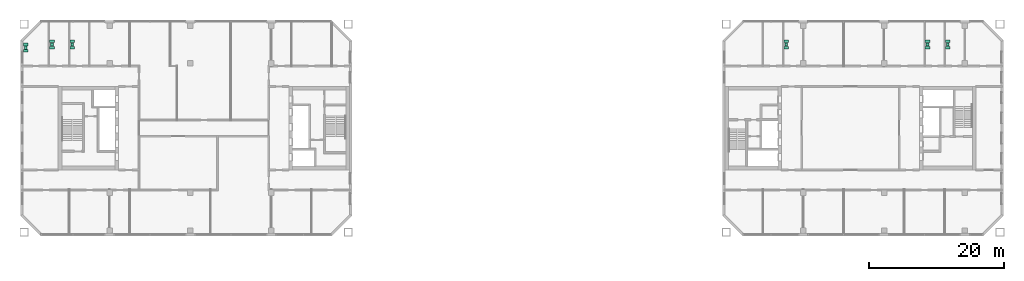
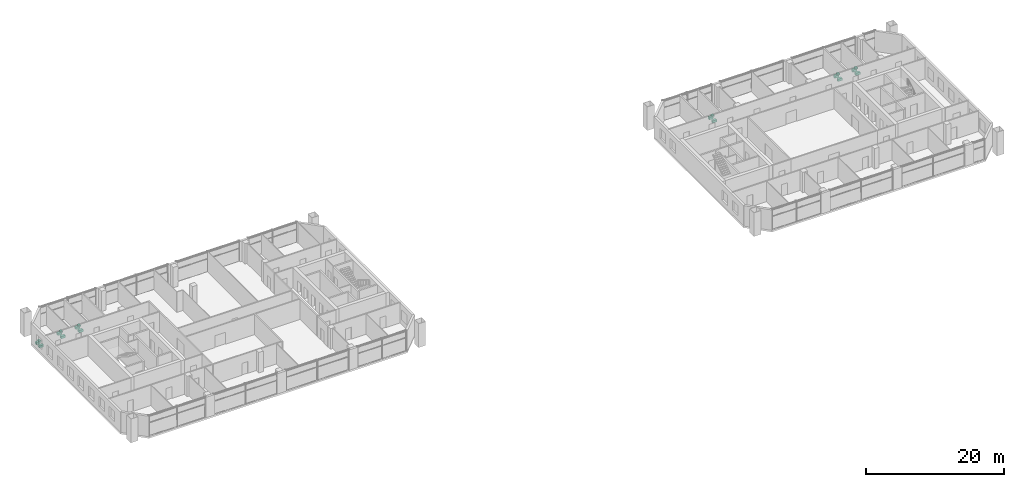
# One storey, part 17 of 17: 18 sanitary terminals.
"""IFC4 building model written with IfcOpenShell, lengths in metres."""

from ifc_helpers import new_model, si_unit, direction, frame, origin, origin_2d, place, context, subcontext, project, spatial, rectangle, extrude, element, save


model = new_model("IFC4")

# Units and contexts
model_context = context("Model", 3, precision=1e-05, world=origin(), true_north=direction((0.0, 1.0)))
body_context = subcontext(model_context, "Body", "Model", "MODEL_VIEW")
ifc_project = project(units=[si_unit("LENGTHUNIT", "METRE"), si_unit("AREAUNIT", "SQUARE_METRE"), si_unit("VOLUMEUNIT", "CUBIC_METRE"), si_unit("PLANEANGLEUNIT", "RADIAN"), si_unit("MASSUNIT", "GRAM", prefix="KILO")], contexts=[model_context])

# Site, building, storey
site_placement = place(None, origin())
site = spatial("IfcSite", under=ifc_project, at=site_placement, CompositionType="ELEMENT")
building_placement = place(site_placement, origin())
building = spatial("IfcBuilding", under=site, at=building_placement, Name="Tuart Gate Housing", CompositionType="ELEMENT")
storey_placement = place(building_placement, frame((0.0, 0.0, 119.5)))
storey = spatial("IfcBuildingStorey", under=building, at=storey_placement, Name="L33", CompositionType="ELEMENT", Elevation=119.5)

# Sanitary terminals
for number, where, z_axis, x_axis, name in (
    (1, (27.56005859375, 81.469970703125, 0.0), (0.0, 0.0, 1.0), (1.0, 0.0, 0.0), "Water closet"),
    (2, (27.56005859375, 82.419921875, 0.0), (0.0, 0.0, 1.0), (1.0, 0.0, 0.0), "Water closet"),
):
    element("IfcSanitaryTerminal", number, at=place(storey_placement, frame(where, z_axis=z_axis, x_axis=x_axis)), inside=storey, Name=name, PredefinedType="TOILETPAN", context=body_context, shape_type="SweptSolid", body=[
        extrude(rectangle(XDim=0.699951171875, YDim=0.39990234375, at=origin_2d()), origin(), (0.0, 0.0, 1.0), 0.39990234375),
    ])
sanitary_terminal_1_placement = place(storey_placement, frame((27.56005859375, 81.945068359375, 0.75), z_axis=(0.0, 0.0, 1.0), x_axis=(1.0, 0.0, 0.0)))
element("IfcSanitaryTerminal", 3, at=sanitary_terminal_1_placement, inside=storey, Name="Wash basin", PredefinedType="WASHHANDBASIN", context=body_context, shape_type="SweptSolid", body=[
    extrude(rectangle(XDim=0.39990234375, YDim=0.5, at=origin_2d()), origin(), (0.0, 0.0, 1.0), 0.199951171875),
])
for number, where, z_axis, x_axis, name in (
    (4, (31.449951171875, 81.945068359375, 0.0), (0.0, 0.0, 1.0), (1.0, 0.0, 0.0), "Water closet"),
    (5, (31.449951171875, 82.89501953125, 0.0), (0.0, 0.0, 1.0), (1.0, 0.0, 0.0), "Water closet"),
):
    element("IfcSanitaryTerminal", number, at=place(storey_placement, frame(where, z_axis=z_axis, x_axis=x_axis)), inside=storey, Name=name, PredefinedType="TOILETPAN", context=body_context, shape_type="SweptSolid", body=[
        extrude(rectangle(XDim=0.699951171875, YDim=0.39990234375, at=origin_2d()), origin(), (0.0, 0.0, 1.0), 0.39990234375),
    ])
sanitary_terminal_2_placement = place(storey_placement, frame((31.449951171875, 82.419921875, 0.75), z_axis=(0.0, 0.0, 1.0), x_axis=(1.0, 0.0, 0.0)))
element("IfcSanitaryTerminal", 6, at=sanitary_terminal_2_placement, inside=storey, Name="Wash basin", PredefinedType="WASHHANDBASIN", context=body_context, shape_type="SweptSolid", body=[
    extrude(rectangle(XDim=0.39990234375, YDim=0.5, at=origin_2d()), origin(), (0.0, 0.0, 1.0), 0.199951171875),
])
for number, where, z_axis, x_axis, name in (
    (7, (34.449951171875, 81.945068359375, 0.0), (0.0, 0.0, 1.0), (1.0, 0.0, 0.0), "Water closet"),
    (8, (34.449951171875, 82.89501953125, 0.0), (0.0, 0.0, 1.0), (1.0, 0.0, 0.0), "Water closet"),
):
    element("IfcSanitaryTerminal", number, at=place(storey_placement, frame(where, z_axis=z_axis, x_axis=x_axis)), inside=storey, Name=name, PredefinedType="TOILETPAN", context=body_context, shape_type="SweptSolid", body=[
        extrude(rectangle(XDim=0.699951171875, YDim=0.39990234375, at=origin_2d()), origin(), (0.0, 0.0, 1.0), 0.39990234375),
    ])
sanitary_terminal_3_placement = place(storey_placement, frame((34.449951171875, 82.419921875, 0.75), z_axis=(0.0, 0.0, 1.0), x_axis=(1.0, 0.0, 0.0)))
element("IfcSanitaryTerminal", 9, at=sanitary_terminal_3_placement, inside=storey, Name="Wash basin", PredefinedType="WASHHANDBASIN", context=body_context, shape_type="SweptSolid", body=[
    extrude(rectangle(XDim=0.39990234375, YDim=0.5, at=origin_2d()), origin(), (0.0, 0.0, 1.0), 0.199951171875),
])
for number, where, z_axis, x_axis, name in (
    (10, (140.449951171875, 81.945068359375, 0.0), (0.0, 0.0, 1.0), (1.0, 0.0, 0.0), "Water closet"),
    (11, (140.449951171875, 82.89501953125, 0.0), (0.0, 0.0, 1.0), (1.0, 0.0, 0.0), "Water closet"),
):
    element("IfcSanitaryTerminal", number, at=place(storey_placement, frame(where, z_axis=z_axis, x_axis=x_axis)), inside=storey, Name=name, PredefinedType="TOILETPAN", context=body_context, shape_type="SweptSolid", body=[
        extrude(rectangle(XDim=0.699951171875, YDim=0.39990234375, at=origin_2d()), origin(), (0.0, 0.0, 1.0), 0.39990234375),
    ])
sanitary_terminal_4_placement = place(storey_placement, frame((140.449951171875, 82.419921875, 0.75), z_axis=(0.0, 0.0, 1.0), x_axis=(1.0, 0.0, 0.0)))
element("IfcSanitaryTerminal", 12, at=sanitary_terminal_4_placement, inside=storey, Name="Wash basin", PredefinedType="WASHHANDBASIN", context=body_context, shape_type="SweptSolid", body=[
    extrude(rectangle(XDim=0.39990234375, YDim=0.5, at=origin_2d()), origin(), (0.0, 0.0, 1.0), 0.199951171875),
])
for number, where, z_axis, x_axis, name in (
    (13, (161.449951171875, 81.945068359375, 0.0), (0.0, 0.0, 1.0), (1.0, 0.0, 0.0), "Water closet"),
    (14, (161.449951171875, 82.89501953125, 0.0), (0.0, 0.0, 1.0), (1.0, 0.0, 0.0), "Water closet"),
):
    element("IfcSanitaryTerminal", number, at=place(storey_placement, frame(where, z_axis=z_axis, x_axis=x_axis)), inside=storey, Name=name, PredefinedType="TOILETPAN", context=body_context, shape_type="SweptSolid", body=[
        extrude(rectangle(XDim=0.699951171875, YDim=0.39990234375, at=origin_2d()), origin(), (0.0, 0.0, 1.0), 0.39990234375),
    ])
sanitary_terminal_5_placement = place(storey_placement, frame((161.449951171875, 82.419921875, 0.75), z_axis=(0.0, 0.0, 1.0), x_axis=(1.0, 0.0, 0.0)))
element("IfcSanitaryTerminal", 15, at=sanitary_terminal_5_placement, inside=storey, Name="Wash basin", PredefinedType="WASHHANDBASIN", context=body_context, shape_type="SweptSolid", body=[
    extrude(rectangle(XDim=0.39990234375, YDim=0.5, at=origin_2d()), origin(), (0.0, 0.0, 1.0), 0.199951171875),
])
for number, where, z_axis, x_axis, name in (
    (16, (164.449951171875, 81.945068359375, 0.0), (0.0, 0.0, 1.0), (1.0, 0.0, 0.0), "Water closet"),
    (17, (164.449951171875, 82.89501953125, 0.0), (0.0, 0.0, 1.0), (1.0, 0.0, 0.0), "Water closet"),
):
    element("IfcSanitaryTerminal", number, at=place(storey_placement, frame(where, z_axis=z_axis, x_axis=x_axis)), inside=storey, Name=name, PredefinedType="TOILETPAN", context=body_context, shape_type="SweptSolid", body=[
        extrude(rectangle(XDim=0.699951171875, YDim=0.39990234375, at=origin_2d()), origin(), (0.0, 0.0, 1.0), 0.39990234375),
    ])
sanitary_terminal_6_placement = place(storey_placement, frame((164.449951171875, 82.419921875, 0.75), z_axis=(0.0, 0.0, 1.0), x_axis=(1.0, 0.0, 0.0)))
element("IfcSanitaryTerminal", 18, at=sanitary_terminal_6_placement, inside=storey, Name="Wash basin", PredefinedType="WASHHANDBASIN", context=body_context, shape_type="SweptSolid", body=[
    extrude(rectangle(XDim=0.39990234375, YDim=0.5, at=origin_2d()), origin(), (0.0, 0.0, 1.0), 0.199951171875),
])

save(model, "model.ifc")
